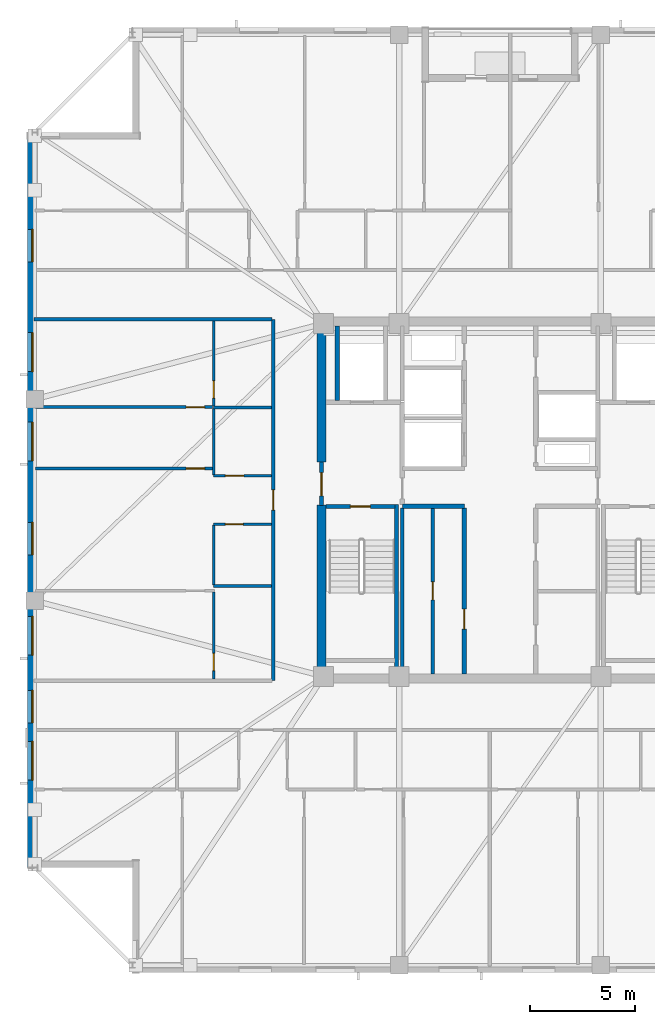
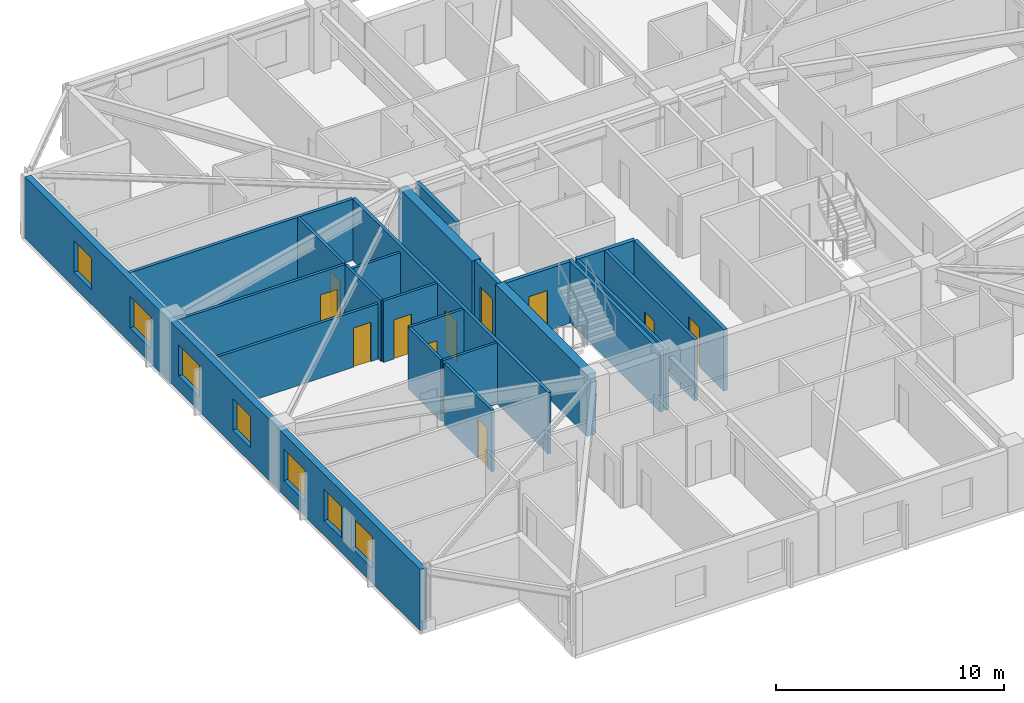
# One storey, part 8 of 17: 23 walls, 11 doors, 7 windows, 18 openings.
"""IFC4 building model written with IfcOpenShell, lengths in metres."""

from ifc_helpers import new_model, si_unit, direction, frame, frame_2d, origin, place, context, subcontext, project, spatial, rectangle, extrude, material, layer, layer_set, type_object, element, fill, save


model = new_model("IFC4")

# Units and contexts
model_context = context("Model", 3, precision=1e-05, world=origin(), true_north=direction((0.0, 1.0)))
body_context = subcontext(model_context, "Body", "Model", "MODEL_VIEW")
ifc_project = project(units=[si_unit("LENGTHUNIT", "METRE"), si_unit("AREAUNIT", "SQUARE_METRE"), si_unit("VOLUMEUNIT", "CUBIC_METRE"), si_unit("PLANEANGLEUNIT", "RADIAN"), si_unit("MASSUNIT", "GRAM", prefix="KILO")], contexts=[model_context])

# Site, building, storey
site_placement = place(None, origin())
site = spatial("IfcSite", under=ifc_project, at=site_placement, CompositionType="ELEMENT")
building_placement = place(site_placement, origin())
building = spatial("IfcBuilding", under=site, at=building_placement, Name="Cairnveth Concourse Tower", CompositionType="ELEMENT")
storey_placement = place(building_placement, frame((0.0, 0.0, 209.5)))
storey = spatial("IfcBuildingStorey", under=building, at=storey_placement, Name="L57", CompositionType="ELEMENT", Elevation=209.5)

# Wall
ifc_material_1 = material(Name="Gypsum Plasterboard Partition", Category="gypsum")
ifc_layer_1 = layer(ifc_material_1, 0.159912109375)
ifc_layer_set_1 = layer_set([ifc_layer_1], Name="Gypsum Plasterboard Partition")
wall_type_1 = type_object("IfcWallType", Name="ACOUSTIC PARTY WALL 180", PredefinedType="PARTITIONING", material=ifc_layer_set_1)
wall_1_placement = place(storey_placement, frame((47.35009765625, 30.7099609375, 0.0), z_axis=(0.0, 0.0, 1.0), x_axis=(0.0, 1.0, 0.0)))
element("IfcWall", 1, at=wall_1_placement, inside=storey, type_object=wall_type_1, Name="Interior Wall IW-L57-025", PredefinedType="PARTITIONING", context=body_context, shape_type="SweptSolid", body=[
    extrude(rectangle(XDim=7.905029296875, YDim=0.159912109375, at=frame_2d((3.95263671875, 0.0))), origin(), (0.0, 0.0, 1.0), 3.2900390625),
])

# Wall, opening, door
wall_2_placement = place(storey_placement, frame((48.800048828125, 30.7099609375, 0.0), z_axis=(0.0, 0.0, 1.0), x_axis=(0.0, 1.0, 0.0)))
wall_2 = element("IfcWall", 2, at=wall_2_placement, inside=storey, type_object=wall_type_1, Name="Interior Wall IW-L57-026", PredefinedType="PARTITIONING", context=body_context, shape_type="SweptSolid", body=[
    extrude(rectangle(XDim=7.905029296875, YDim=0.159912109375, at=frame_2d((3.95263671875, 0.0))), origin(), (0.0, 0.0, 1.0), 3.2900390625),
])
opening_1_placement = place(wall_2_placement, frame((3.5400390625, 0.0, 0.0)))
opening_1 = element("IfcOpeningElement", 3, at=opening_1_placement, cuts=wall_2, Name="Opening ID19", PredefinedType="OPENING", context=body_context, shape_type="SweptSolid", body=[
    extrude(rectangle(XDim=0.85009765625, YDim=2.1201171875, at=frame_2d((0.425048828125, 1.06005859375))), frame((0.0, 0.08984375, 0.0), z_axis=(0.0, -1.0, 0.0), x_axis=(1.0, 0.0, 0.0)), (0.0, 0.0, 1.0), 0.179931640625),
])
ifc_material_2 = material(Name="Steel Grade 350", Category="steel")
door_type_1 = type_object("IfcDoorType", Name="CORE SERVICE DOOR 850X2100", OperationType="NOTDEFINED", PredefinedType="DOOR", material=ifc_material_2)
door_1_placement = place(opening_1_placement, origin())
door_1 = element("IfcDoor", 4, at=door_1_placement, inside=storey, type_object=door_type_1, Name="Inner Store Door L57", OperationType="SINGLE_SWING_RIGHT", OverallHeight=2.1201171875, OverallWidth=0.85009765625, PredefinedType="DOOR", context=body_context, shape_type="SweptSolid", body=[
    extrude(rectangle(XDim=0.85009765625, YDim=2.1201171875, at=frame_2d((0.425048828125, 1.06005859375))), frame((0.0, 0.02490234375, 0.0), z_axis=(0.0, -1.0, 0.0), x_axis=(1.0, 0.0, 0.0)), (0.0, 0.0, 1.0), 0.050048828125),
])
fill(opening_1, door_1)

wall_3_placement = place(storey_placement, frame((41.199951171875, 30.39990234375, 0.0), z_axis=(0.0, 0.0, 1.0), x_axis=(0.0, 1.0, 0.0)))
wall_3 = element("IfcWall", 5, at=wall_3_placement, inside=storey, type_object=wall_type_1, Name="Interior Wall IW-L57-037", PredefinedType="PARTITIONING", context=body_context, shape_type="SweptSolid", body=[
    extrude(rectangle(XDim=17.2001953125, YDim=0.159912109375, at=frame_2d((8.60009765625, 0.0))), origin(), (0.0, 0.0, 1.0), 3.2900390625),
])
opening_2_placement = place(wall_3_placement, frame((8.1201171875, 0.0, 0.0)))
opening_2 = element("IfcOpeningElement", 6, at=opening_2_placement, cuts=wall_3, Name="Opening ID10", PredefinedType="OPENING", context=body_context, shape_type="SweptSolid", body=[
    extrude(rectangle(XDim=0.9599609375, YDim=2.179931640625, at=frame_2d((0.47998046875, 1.08984375))), frame((0.0, 0.08984375, 0.0), z_axis=(0.0, -1.0, 0.0), x_axis=(1.0, 0.0, 0.0)), (0.0, 0.0, 1.0), 0.179931640625),
])
ifc_material_3 = material(Name="Solid Core Hardwood Timber Leaf", Category="wood")
door_type_2 = type_object("IfcDoorType", Name="FLAT ENTRANCE DOOR 960X2150", OperationType="NOTDEFINED", PredefinedType="DOOR", material=ifc_material_3)
door_2_placement = place(opening_2_placement, origin())
door_2 = element("IfcDoor", 7, at=door_2_placement, inside=storey, type_object=door_type_2, Name="Apartment L57W1 Entrance Door", OperationType="SINGLE_SWING_RIGHT", OverallHeight=2.179931640625, OverallWidth=0.9599609375, PredefinedType="DOOR", context=body_context, shape_type="SweptSolid", body=[
    extrude(rectangle(XDim=0.9599609375, YDim=2.179931640625, at=frame_2d((0.47998046875, 1.08984375))), frame((0.0, 0.02490234375, 0.0), z_axis=(0.0, -1.0, 0.0), x_axis=(1.0, 0.0, 0.0)), (0.0, 0.0, 1.0), 0.050048828125),
])
fill(opening_2, door_2)

# Walls
wall_4_placement = place(storey_placement, frame((29.804931640625, 47.60009765625, 0.0), z_axis=(0.0, 0.0, 1.0), x_axis=(1.0, 0.0, 0.0)))
element("IfcWall", 8, at=wall_4_placement, inside=storey, type_object=wall_type_1, Name="Interior Wall IW-L57-040", PredefinedType="PARTITIONING", context=body_context, shape_type="SweptSolid", body=[
    extrude(rectangle(XDim=11.330078125, YDim=0.159912109375, at=frame_2d((5.6650390625, 0.0))), origin(), (0.0, 0.0, 1.0), 3.2900390625),
])
ifc_material_4 = material(Name="Concrete N65 (65 MPa)", Category="concrete")
ifc_layer_2 = layer(ifc_material_4, 0.449951171875)
ifc_layer_set_2 = layer_set([ifc_layer_2], Name="Concrete N65 (65 MPa)")
wall_type_2 = type_object("IfcWallType", Name="CORE SHEAR WALL 450", PredefinedType="SHEAR", material=ifc_layer_set_2)
wall_5_placement = place(storey_placement, frame((43.5, 30.715087890625, 0.0), z_axis=(0.0, 0.0, 1.0), x_axis=(0.0, 1.0, 0.0)))
element("IfcWall", 9, at=wall_5_placement, inside=storey, type_object=wall_type_2, Name="Core West Shear Wall S L57", PredefinedType="SHEAR", context=body_context, shape_type="SweptSolid", body=[
    extrude(rectangle(XDim=8.034912109375, YDim=0.449951171875, at=frame_2d((4.017578125, 0.0))), origin(), (0.0, 0.0, 1.0), 3.2900390625),
])
wall_6_placement = place(storey_placement, frame((43.5, 40.800048828125, 0.0), z_axis=(0.0, 0.0, 1.0), x_axis=(0.0, 1.0, 0.0)))
element("IfcWall", 10, at=wall_6_placement, inside=storey, type_object=wall_type_2, Name="Core West Shear Wall N L57", PredefinedType="SHEAR", context=body_context, shape_type="SweptSolid", body=[
    extrude(rectangle(XDim=6.48486328125, YDim=0.449951171875, at=frame_2d((3.242431640625, 0.0))), origin(), (0.0, 0.0, 1.0), 3.2900390625),
])

# Wall, opening, door
ifc_material_5 = material(Name="Concrete N50 (50 MPa)", Category="concrete")
ifc_layer_3 = layer(ifc_material_5, 0.179931640625)
ifc_layer_set_3 = layer_set([ifc_layer_3], Name="Concrete N50 (50 MPa)")
wall_type_3 = type_object("IfcWallType", Name="FIRE SHAFT WALL 180", PredefinedType="SOLIDWALL", material=ifc_layer_set_3)
wall_7_placement = place(storey_placement, frame((43.715087890625, 38.68994140625, 0.0), z_axis=(0.0, 0.0, 1.0), x_axis=(1.0, 0.0, 0.0)))
wall_7 = element("IfcWall", 11, at=wall_7_placement, inside=storey, type_object=wall_type_3, Name="Stair ST-1 Shaft Wall NEAR L57", PredefinedType="SOLIDWALL", context=body_context, shape_type="SweptSolid", body=[
    extrude(rectangle(XDim=3.280029296875, YDim=0.179931640625, at=frame_2d((1.64013671875, 0.0))), origin(), (0.0, 0.0, 1.0), 3.2900390625),
])
opening_3_placement = place(wall_7_placement, frame((1.1650390625, 0.0, 0.0)))
opening_3 = element("IfcOpeningElement", 12, at=opening_3_placement, cuts=wall_7, Name="Opening ID12", PredefinedType="OPENING", context=body_context, shape_type="SweptSolid", body=[
    extrude(rectangle(XDim=0.949951171875, YDim=2.14990234375, at=frame_2d((0.47509765625, 1.074951171875))), frame((0.0, 0.099853515625, 0.0), z_axis=(0.0, -1.0, 0.0), x_axis=(1.0, 0.0, 0.0)), (0.0, 0.0, 1.0), 0.199951171875),
])
door_type_3 = type_object("IfcDoorType", Name="FIRE STAIR DOOR 950X2150", OperationType="NOTDEFINED", PredefinedType="DOOR", material=ifc_material_2)
door_3_placement = place(opening_3_placement, origin())
door_3 = element("IfcDoor", 13, at=door_3_placement, inside=storey, type_object=door_type_3, Name="Stair ST-1 Fire Door L57", OperationType="SINGLE_SWING_LEFT", OverallHeight=2.14990234375, OverallWidth=0.949951171875, PredefinedType="DOOR", context=body_context, shape_type="SweptSolid", body=[
    extrude(rectangle(XDim=0.949951171875, YDim=2.14990234375, at=frame_2d((0.47509765625, 1.074951171875))), frame((0.0, 0.02490234375, 0.0), z_axis=(0.0, -1.0, 0.0), x_axis=(1.0, 0.0, 0.0)), (0.0, 0.0, 1.0), 0.050048828125),
])
fill(opening_3, door_3)

# Walls
wall_8_placement = place(storey_placement, frame((47.070068359375, 38.780029296875, 0.0), z_axis=(0.0, 0.0, 1.0), x_axis=(0.0, -1.0, 0.0)))
element("IfcWall", 14, at=wall_8_placement, inside=storey, type_object=wall_type_3, Name="Stair ST-1 Shaft Wall RGHT L57", PredefinedType="SOLIDWALL", context=body_context, shape_type="SweptSolid", body=[
    extrude(rectangle(XDim=8.067138671875, YDim=0.179931640625, at=frame_2d((4.03369140625, 0.0))), origin(), (0.0, 0.0, 1.0), 3.2900390625),
])
ifc_layer_4 = layer(ifc_material_5, 0.199951171875)
ifc_layer_set_4 = layer_set([ifc_layer_4], Name="Concrete N50 (50 MPa)")
wall_type_4 = type_object("IfcWallType", Name="FIRE SHAFT WALL 200", PredefinedType="SOLIDWALL", material=ifc_layer_set_4)
wall_9_placement = place(storey_placement, frame((47.35009765625, 38.699951171875, 0.0), z_axis=(0.0, 0.0, 1.0), x_axis=(1.0, 0.0, 0.0)))
element("IfcWall", 15, at=wall_9_placement, inside=storey, type_object=wall_type_4, Name="Interior Wall IW-L57-007", PredefinedType="SOLIDWALL", context=body_context, shape_type="SweptSolid", body=[
    extrude(rectangle(XDim=2.949951171875, YDim=0.199951171875, at=frame_2d((1.47509765625, 0.0))), origin(), (0.0, 0.0, 1.0), 3.2900390625),
])

# Wall, opening, door
wall_10_placement = place(storey_placement, frame((50.300048828125, 30.7099609375, 0.0), z_axis=(0.0, 0.0, 1.0), x_axis=(0.0, 1.0, 0.0)))
wall_10 = element("IfcWall", 16, at=wall_10_placement, inside=storey, type_object=wall_type_4, Name="Interior Wall IW-L57-011", PredefinedType="SOLIDWALL", context=body_context, shape_type="SweptSolid", body=[
    extrude(rectangle(XDim=7.905029296875, YDim=0.199951171875, at=frame_2d((3.95263671875, 0.0))), origin(), (0.0, 0.0, 1.0), 3.2900390625),
])
opening_4_placement = place(wall_10_placement, frame((2.139892578125, 0.0, 0.0)))
opening_4 = element("IfcOpeningElement", 17, at=opening_4_placement, cuts=wall_10, Name="Opening ID25", PredefinedType="OPENING", context=body_context, shape_type="SweptSolid", body=[
    extrude(rectangle(XDim=0.949951171875, YDim=2.1201171875, at=frame_2d((0.47509765625, 1.06005859375))), frame((0.0, 0.10986328125, 0.0), z_axis=(0.0, -1.0, 0.0), x_axis=(1.0, 0.0, 0.0)), (0.0, 0.0, 1.0), 0.219970703125),
])
door_type_4 = type_object("IfcDoorType", Name="CORE ACCESSIBLE FIRE DOOR 950X2120", OperationType="NOTDEFINED", PredefinedType="DOOR", material=ifc_material_2)
door_4_placement = place(opening_4_placement, origin())
door_4 = element("IfcDoor", 18, at=door_4_placement, inside=storey, type_object=door_type_4, Name="Accessible WC Suite Door L57", OperationType="SINGLE_SWING_LEFT", OverallHeight=2.1201171875, OverallWidth=0.949951171875, PredefinedType="DOOR", context=body_context, shape_type="SweptSolid", body=[
    extrude(rectangle(XDim=0.949951171875, YDim=2.1201171875, at=frame_2d((0.47509765625, 1.06005859375))), frame((0.0, 0.02490234375, 0.0), z_axis=(0.0, -1.0, 0.0), x_axis=(1.0, 0.0, 0.0)), (0.0, 0.0, 1.0), 0.050048828125),
])
fill(opening_4, door_4)

wall_11_placement = place(storey_placement, frame((43.5, 38.75, 0.0), z_axis=(0.0, 0.0, 1.0), x_axis=(0.0, 1.0, 0.0)))
wall_11 = element("IfcWall", 19, at=wall_11_placement, inside=storey, type_object=wall_type_4, Name="Interior Wall IW-L57-015", PredefinedType="SOLIDWALL", context=body_context, shape_type="SweptSolid", body=[
    extrude(rectangle(XDim=2.050048828125, YDim=0.199951171875, at=frame_2d((1.02490234375, 0.0))), origin(), (0.0, 0.0, 1.0), 3.2900390625),
])
opening_5_placement = place(wall_11_placement, frame((0.449951171875, 0.0, 0.0)))
opening_5 = element("IfcOpeningElement", 20, at=opening_5_placement, cuts=wall_11, Name="Opening ID06", PredefinedType="OPENING", context=body_context, shape_type="SweptSolid", body=[
    extrude(rectangle(XDim=1.10009765625, YDim=2.14990234375, at=frame_2d((0.550048828125, 1.074951171875))), frame((0.0, 0.10986328125, 0.0), z_axis=(0.0, -1.0, 0.0), x_axis=(1.0, 0.0, 0.0)), (0.0, 0.0, 1.0), 0.219970703125),
])
door_type_5 = type_object("IfcDoorType", Name="FIRE CORRIDOR DOOR 1100X2150", OperationType="NOTDEFINED", PredefinedType="DOOR", material=ifc_material_2)
door_5_placement = place(opening_5_placement, origin())
door_5 = element("IfcDoor", 21, at=door_5_placement, inside=storey, type_object=door_type_5, Name="West Wing to FF Lobby Door L57", OperationType="SINGLE_SWING_LEFT", OverallHeight=2.14990234375, OverallWidth=1.10009765625, PredefinedType="DOOR", context=body_context, shape_type="SweptSolid", body=[
    extrude(rectangle(XDim=1.10009765625, YDim=2.14990234375, at=frame_2d((0.550048828125, 1.074951171875))), frame((0.0, 0.02490234375, 0.0), z_axis=(0.0, -1.0, 0.0), x_axis=(1.0, 0.0, 0.0)), (0.0, 0.0, 1.0), 0.050048828125),
])
fill(opening_5, door_5)

# Wall
wall_12_placement = place(storey_placement, frame((44.25, 43.735107421875, 0.0), z_axis=(0.0, 0.0, 1.0), x_axis=(0.0, 1.0, 0.0)))
element("IfcWall", 22, at=wall_12_placement, inside=storey, type_object=wall_type_4, Name="Interior Wall IW-L57-019", PredefinedType="SOLIDWALL", context=body_context, shape_type="SweptSolid", body=[
    extrude(rectangle(XDim=3.554931640625, YDim=0.199951171875, at=frame_2d((1.77734375, 0.0))), origin(), (0.0, 0.0, 1.0), 3.2900390625),
])

# Wall, opening, door
ifc_layer_5 = layer(ifc_material_1, 0.139892578125)
ifc_layer_set_5 = layer_set([ifc_layer_5], Name="Gypsum Plasterboard Partition")
wall_type_5 = type_object("IfcWallType", Name="GYPSUM STUD PARTITION 140", PredefinedType="PARTITIONING", material=ifc_layer_set_5)
wall_13_placement = place(storey_placement, frame((38.3701171875, 30.465087890625, 0.0), z_axis=(0.0, 0.0, 1.0), x_axis=(0.0, 1.0, 0.0)))
wall_13 = element("IfcWall", 23, at=wall_13_placement, inside=storey, type_object=wall_type_5, Name="Interior Wall IW-L57-095", PredefinedType="PARTITIONING", context=body_context, shape_type="SweptSolid", body=[
    extrude(rectangle(XDim=4.159912109375, YDim=0.139892578125, at=frame_2d((2.080078125, 0.0))), origin(), (0.0, 0.0, 1.0), 3.2900390625),
])
opening_6_placement = place(wall_13_placement, frame((0.4150390625, 0.0, 0.0)))
opening_6 = element("IfcOpeningElement", 24, at=opening_6_placement, cuts=wall_13, Name="Opening ID22", PredefinedType="OPENING", context=body_context, shape_type="SweptSolid", body=[
    extrude(rectangle(XDim=0.820068359375, YDim=2.10009765625, at=frame_2d((0.41015625, 1.050048828125))), frame((0.0, 0.079833984375, 0.0), z_axis=(0.0, -1.0, 0.0), x_axis=(1.0, 0.0, 0.0)), (0.0, 0.0, 1.0), 0.159912109375),
])
door_type_6 = type_object("IfcDoorType", Name="INTERIOR WC DOOR 820X2100", OperationType="NOTDEFINED", PredefinedType="DOOR", material=ifc_material_3)
door_6_placement = place(opening_6_placement, origin())
door_6 = element("IfcDoor", 25, at=door_6_placement, inside=storey, type_object=door_type_6, Name="L57W1 Dressing Door", OperationType="SINGLE_SWING_LEFT", OverallHeight=2.10009765625, OverallWidth=0.820068359375, PredefinedType="DOOR", context=body_context, shape_type="SweptSolid", body=[
    extrude(rectangle(XDim=0.820068359375, YDim=2.10009765625, at=frame_2d((0.41015625, 1.050048828125))), frame((0.0, 0.02490234375, 0.0), z_axis=(0.0, -1.0, 0.0), x_axis=(1.0, 0.0, 0.0)), (0.0, 0.0, 1.0), 0.050048828125),
])
fill(opening_6, door_6)

wall_14_placement = place(storey_placement, frame((29.8798828125, 43.419921875, 0.0), z_axis=(0.0, 0.0, 1.0), x_axis=(1.0, 0.0, 0.0)))
wall_14 = element("IfcWall", 26, at=wall_14_placement, inside=storey, type_object=wall_type_5, Name="Interior Wall IW-L57-096", PredefinedType="PARTITIONING", context=body_context, shape_type="SweptSolid", body=[
    extrude(rectangle(XDim=8.440185546875, YDim=0.139892578125, at=frame_2d((4.22021484375, 0.0))), origin(), (0.0, 0.0, 1.0), 3.2900390625),
])
opening_7_placement = place(wall_14_placement, frame((7.179931640625, 0.0, 0.0)))
opening_7 = element("IfcOpeningElement", 27, at=opening_7_placement, cuts=wall_14, Name="Opening ID18", PredefinedType="OPENING", context=body_context, shape_type="SweptSolid", body=[
    extrude(rectangle(XDim=0.8798828125, YDim=2.10009765625, at=frame_2d((0.43994140625, 1.050048828125))), frame((0.0, 0.079833984375, 0.0), z_axis=(0.0, -1.0, 0.0), x_axis=(1.0, 0.0, 0.0)), (0.0, 0.0, 1.0), 0.159912109375),
])
door_type_7 = type_object("IfcDoorType", Name="INTERIOR SINGLE DOOR 880X2100", OperationType="NOTDEFINED", PredefinedType="DOOR", material=ifc_material_3)
door_7_placement = place(opening_7_placement, origin())
door_7 = element("IfcDoor", 28, at=door_7_placement, inside=storey, type_object=door_type_7, Name="L57W1 Bedroom 2 Door", OperationType="SINGLE_SWING_RIGHT", OverallHeight=2.10009765625, OverallWidth=0.8798828125, PredefinedType="DOOR", context=body_context, shape_type="SweptSolid", body=[
    extrude(rectangle(XDim=0.8798828125, YDim=2.10009765625, at=frame_2d((0.43994140625, 1.050048828125))), frame((0.0, 0.02490234375, 0.0), z_axis=(0.0, -1.0, 0.0), x_axis=(1.0, 0.0, 0.0)), (0.0, 0.0, 1.0), 0.050048828125),
])
fill(opening_7, door_7)

wall_15_placement = place(storey_placement, frame((38.3701171875, 43.47509765625, 0.0), z_axis=(0.0, 0.0, 1.0), x_axis=(0.0, 1.0, 0.0)))
wall_15 = element("IfcWall", 29, at=wall_15_placement, inside=storey, type_object=wall_type_5, Name="Interior Wall IW-L57-097", PredefinedType="PARTITIONING", context=body_context, shape_type="SweptSolid", body=[
    extrude(rectangle(XDim=4.059814453125, YDim=0.139892578125, at=frame_2d((2.02978515625, 0.0))), origin(), (0.0, 0.0, 1.0), 3.2900390625),
])
opening_8_placement = place(wall_15_placement, frame((0.375, 0.0, 0.0)))
opening_8 = element("IfcOpeningElement", 30, at=opening_8_placement, cuts=wall_15, Name="Opening ID22", PredefinedType="OPENING", context=body_context, shape_type="SweptSolid", body=[
    extrude(rectangle(XDim=0.820068359375, YDim=2.10009765625, at=frame_2d((0.41015625, 1.050048828125))), frame((0.0, 0.079833984375, 0.0), z_axis=(0.0, -1.0, 0.0), x_axis=(1.0, 0.0, 0.0)), (0.0, 0.0, 1.0), 0.159912109375),
])
door_8_placement = place(opening_8_placement, origin())
door_8 = element("IfcDoor", 31, at=door_8_placement, inside=storey, type_object=door_type_6, Name="L57W1 Utility Door", OperationType="SINGLE_SWING_LEFT", OverallHeight=2.10009765625, OverallWidth=0.820068359375, PredefinedType="DOOR", context=body_context, shape_type="SweptSolid", body=[
    extrude(rectangle(XDim=0.820068359375, YDim=2.10009765625, at=frame_2d((0.41015625, 1.050048828125))), frame((0.0, 0.02490234375, 0.0), z_axis=(0.0, -1.0, 0.0), x_axis=(1.0, 0.0, 0.0)), (0.0, 0.0, 1.0), 0.050048828125),
])
fill(opening_8, door_8)

wall_16_placement = place(storey_placement, frame((29.8798828125, 40.5, 0.0), z_axis=(0.0, 0.0, 1.0), x_axis=(1.0, 0.0, 0.0)))
wall_16 = element("IfcWall", 32, at=wall_16_placement, inside=storey, type_object=wall_type_5, Name="Interior Wall IW-L57-098", PredefinedType="PARTITIONING", context=body_context, shape_type="SweptSolid", body=[
    extrude(rectangle(XDim=8.440185546875, YDim=0.139892578125, at=frame_2d((4.22021484375, 0.0))), origin(), (0.0, 0.0, 1.0), 2.9580078125),
])
opening_9_placement = place(wall_16_placement, frame((7.179931640625, 0.0, 0.0)))
opening_9 = element("IfcOpeningElement", 33, at=opening_9_placement, cuts=wall_16, Name="Opening ID18", PredefinedType="OPENING", context=body_context, shape_type="SweptSolid", body=[
    extrude(rectangle(XDim=0.8798828125, YDim=2.10009765625, at=frame_2d((0.43994140625, 1.050048828125))), frame((0.0, 0.079833984375, 0.0), z_axis=(0.0, -1.0, 0.0), x_axis=(1.0, 0.0, 0.0)), (0.0, 0.0, 1.0), 0.159912109375),
])
door_9_placement = place(opening_9_placement, origin())
door_9 = element("IfcDoor", 34, at=door_9_placement, inside=storey, type_object=door_type_7, Name="L57W1 Media Lounge Door", OperationType="SINGLE_SWING_LEFT", OverallHeight=2.10009765625, OverallWidth=0.8798828125, PredefinedType="DOOR", context=body_context, shape_type="SweptSolid", body=[
    extrude(rectangle(XDim=0.8798828125, YDim=2.10009765625, at=frame_2d((0.43994140625, 1.050048828125))), frame((0.0, 0.02490234375, 0.0), z_axis=(0.0, -1.0, 0.0), x_axis=(1.0, 0.0, 0.0)), (0.0, 0.0, 1.0), 0.050048828125),
])
fill(opening_9, door_9)

# Wall
ifc_layer_6 = layer(ifc_material_1, 0.1298828125)
ifc_layer_set_6 = layer_set([ifc_layer_6], Name="Gypsum Plasterboard Partition")
wall_type_6 = type_object("IfcWallType", Name="WET AREA PARTITION 140", PredefinedType="PLUMBINGWALL", material=ifc_layer_set_6)
wall_17_placement = place(storey_placement, frame((38.3701171875, 34.89990234375, 0.0), z_axis=(0.0, 0.0, 1.0), x_axis=(1.0, 0.0, 0.0)))
element("IfcWall", 35, at=wall_17_placement, inside=storey, type_object=wall_type_6, Name="Interior Wall IW-L57-088", PredefinedType="PLUMBINGWALL", context=body_context, shape_type="SweptSolid", body=[
    extrude(rectangle(XDim=2.75, YDim=0.1298828125, at=frame_2d((1.375, 0.0))), origin(), (0.0, 0.0, 1.0), 3.2900390625),
])

# Wall, opening, door
wall_18_placement = place(storey_placement, frame((38.3701171875, 37.85009765625, 0.0), z_axis=(0.0, 0.0, 1.0), x_axis=(1.0, 0.0, 0.0)))
wall_18 = element("IfcWall", 36, at=wall_18_placement, inside=storey, type_object=wall_type_6, Name="Interior Wall IW-L57-089", PredefinedType="PLUMBINGWALL", context=body_context, shape_type="SweptSolid", body=[
    extrude(rectangle(XDim=2.75, YDim=0.1298828125, at=frame_2d((1.375, 0.0))), origin(), (0.0, 0.0, 1.0), 3.2900390625),
])
opening_10_placement = place(wall_18_placement, frame((0.550048828125, 0.0, 0.0)))
opening_10 = element("IfcOpeningElement", 37, at=opening_10_placement, cuts=wall_18, Name="Opening ID21", PredefinedType="OPENING", context=body_context, shape_type="SweptSolid", body=[
    extrude(rectangle(XDim=0.85009765625, YDim=2.080078125, at=frame_2d((0.425048828125, 1.0400390625))), frame((0.0, 0.074951171875, 0.0), z_axis=(0.0, -1.0, 0.0), x_axis=(1.0, 0.0, 0.0)), (0.0, 0.0, 1.0), 0.14990234375),
])
door_type_8 = type_object("IfcDoorType", Name="INTERIOR WC DOOR 850X2100", OperationType="NOTDEFINED", PredefinedType="DOOR", material=ifc_material_3)
door_10_placement = place(opening_10_placement, origin())
door_10 = element("IfcDoor", 38, at=door_10_placement, inside=storey, type_object=door_type_8, Name="L57W1 Bathroom Door", OperationType="SINGLE_SWING_LEFT", OverallHeight=2.080078125, OverallWidth=0.85009765625, PredefinedType="DOOR", context=body_context, shape_type="SweptSolid", body=[
    extrude(rectangle(XDim=0.85009765625, YDim=2.080078125, at=frame_2d((0.425048828125, 1.0400390625))), frame((0.0, 0.02490234375, 0.0), z_axis=(0.0, -1.0, 0.0), x_axis=(1.0, 0.0, 0.0)), (0.0, 0.0, 1.0), 0.050048828125),
])
fill(opening_10, door_10)

# Walls
wall_19_placement = place(storey_placement, frame((38.3701171875, 34.949951171875, 0.0), z_axis=(0.0, 0.0, 1.0), x_axis=(0.0, 1.0, 0.0)))
element("IfcWall", 39, at=wall_19_placement, inside=storey, type_object=wall_type_6, Name="Interior Wall IW-L57-090", PredefinedType="PLUMBINGWALL", context=body_context, shape_type="SweptSolid", body=[
    extrude(rectangle(XDim=2.85009765625, YDim=0.1298828125, at=frame_2d((1.425048828125, 0.0))), origin(), (0.0, 0.0, 1.0), 3.2900390625),
])
wall_20_placement = place(storey_placement, frame((38.3701171875, 43.39990234375, 0.0), z_axis=(0.0, 0.0, 1.0), x_axis=(1.0, 0.0, 0.0)))
element("IfcWall", 40, at=wall_20_placement, inside=storey, type_object=wall_type_6, Name="Interior Wall IW-L57-091", PredefinedType="PLUMBINGWALL", context=body_context, shape_type="SweptSolid", body=[
    extrude(rectangle(XDim=2.75, YDim=0.1298828125, at=frame_2d((1.375, 0.0))), origin(), (0.0, 0.0, 1.0), 2.9580078125),
])

# Wall, opening, door
wall_21_placement = place(storey_placement, frame((38.3701171875, 40.14990234375, 0.0), z_axis=(0.0, 0.0, 1.0), x_axis=(1.0, 0.0, 0.0)))
wall_21 = element("IfcWall", 41, at=wall_21_placement, inside=storey, type_object=wall_type_6, Name="Interior Wall IW-L57-092", PredefinedType="PLUMBINGWALL", context=body_context, shape_type="SweptSolid", body=[
    extrude(rectangle(XDim=2.75, YDim=0.1298828125, at=frame_2d((1.375, 0.0))), origin(), (0.0, 0.0, 1.0), 3.2900390625),
])
opening_11_placement = place(wall_21_placement, frame((0.550048828125, 0.0, 0.0)))
opening_11 = element("IfcOpeningElement", 42, at=opening_11_placement, cuts=wall_21, Name="Opening ID18", PredefinedType="OPENING", context=body_context, shape_type="SweptSolid", body=[
    extrude(rectangle(XDim=0.8798828125, YDim=2.10009765625, at=frame_2d((0.43994140625, 1.050048828125))), frame((0.0, 0.074951171875, 0.0), z_axis=(0.0, -1.0, 0.0), x_axis=(1.0, 0.0, 0.0)), (0.0, 0.0, 1.0), 0.14990234375),
])
door_11_placement = place(opening_11_placement, origin())
door_11 = element("IfcDoor", 43, at=door_11_placement, inside=storey, type_object=door_type_7, Name="L57W1 Kitchen Door", OperationType="SINGLE_SWING_RIGHT", OverallHeight=2.10009765625, OverallWidth=0.8798828125, PredefinedType="DOOR", context=body_context, shape_type="SweptSolid", body=[
    extrude(rectangle(XDim=0.8798828125, YDim=2.10009765625, at=frame_2d((0.43994140625, 1.050048828125))), frame((0.0, 0.02490234375, 0.0), z_axis=(0.0, -1.0, 0.0), x_axis=(1.0, 0.0, 0.0)), (0.0, 0.0, 1.0), 0.050048828125),
])
fill(opening_11, door_11)

# Wall
wall_22_placement = place(storey_placement, frame((38.3701171875, 40.199951171875, 0.0), z_axis=(0.0, 0.0, 1.0), x_axis=(0.0, 1.0, 0.0)))
element("IfcWall", 44, at=wall_22_placement, inside=storey, type_object=wall_type_6, Name="Interior Wall IW-L57-093", PredefinedType="PLUMBINGWALL", context=body_context, shape_type="SweptSolid", body=[
    extrude(rectangle(XDim=3.150146484375, YDim=0.1298828125, at=frame_2d((1.5751953125, 0.0))), origin(), (0.0, 0.0, 1.0), 3.2900390625),
])

# Wall, openings, windows
ifc_material_6 = material(Name="Melbourne Buff Fired Clay Brick Masonry", Category="masonry")
ifc_layer_7 = layer(ifc_material_6, 0.320068359375)
ifc_layer_set_7 = layer_set([ifc_layer_7], Name="Melbourne Buff Fired Clay Brick Masonry")
wall_type_7 = type_object("IfcWallType", Name="ZONE 3 BRICK PIER SPANDREL WALL 320", PredefinedType="SOLIDWALL", material=ifc_layer_set_7)
wall_23_placement = place(storey_placement, frame((29.659912109375, 21.5, 0.0), z_axis=(0.0, 0.0, 1.0), x_axis=(0.0, 1.0, 0.0)))
wall_23 = element("IfcWall", 45, at=wall_23_placement, inside=storey, type_object=wall_type_7, Name="Exterior Wall EW-L57-S09", PredefinedType="SOLIDWALL", context=body_context, shape_type="SweptSolid", body=[
    extrude(rectangle(XDim=34.701904296875, YDim=0.320068359375, at=frame_2d((17.35107421875, 0.0))), origin(), (0.0, 0.0, 1.0), 3.2900390625),
])
opening_12_placement = place(wall_23_placement, frame((4.16259765625, 0.0, 0.800048828125)))
opening_12 = element("IfcOpeningElement", 46, at=opening_12_placement, cuts=wall_23, Name="Opening W08", PredefinedType="OPENING", context=body_context, shape_type="SweptSolid", body=[
    extrude(rectangle(XDim=1.85009765625, YDim=1.677978515625, at=frame_2d((0.925048828125, 0.8388671875))), frame((0.0, 0.169921875, 0.0), z_axis=(0.0, -1.0, 0.0), x_axis=(1.0, 0.0, 0.0)), (0.0, 0.0, 1.0), 0.340087890625),
])
opening_13_placement = place(wall_23_placement, frame((6.887939453125, 0.0, 0.800048828125)))
opening_13 = element("IfcOpeningElement", 47, at=opening_13_placement, cuts=wall_23, Name="Opening W07", PredefinedType="OPENING", context=body_context, shape_type="SweptSolid", body=[
    extrude(rectangle(XDim=1.550048828125, YDim=1.677978515625, at=frame_2d((0.77490234375, 0.8388671875))), frame((0.0, 0.169921875, 0.0), z_axis=(0.0, -1.0, 0.0), x_axis=(1.0, 0.0, 0.0)), (0.0, 0.0, 1.0), 0.340087890625),
])
opening_14_placement = place(wall_23_placement, frame((10.113037109375, 0.0, 0.800048828125)))
opening_14 = element("IfcOpeningElement", 48, at=opening_14_placement, cuts=wall_23, Name="Opening W08", PredefinedType="OPENING", context=body_context, shape_type="SweptSolid", body=[
    extrude(rectangle(XDim=1.85009765625, YDim=1.677978515625, at=frame_2d((0.925048828125, 0.8388671875))), frame((0.0, 0.169921875, 0.0), z_axis=(0.0, -1.0, 0.0), x_axis=(1.0, 0.0, 0.0)), (0.0, 0.0, 1.0), 0.340087890625),
])
opening_15_placement = place(wall_23_placement, frame((14.888427734375, 0.0, 0.800048828125)))
opening_15 = element("IfcOpeningElement", 49, at=opening_15_placement, cuts=wall_23, Name="Opening W07", PredefinedType="OPENING", context=body_context, shape_type="SweptSolid", body=[
    extrude(rectangle(XDim=1.550048828125, YDim=1.677978515625, at=frame_2d((0.77490234375, 0.8388671875))), frame((0.0, 0.169921875, 0.0), z_axis=(0.0, -1.0, 0.0), x_axis=(1.0, 0.0, 0.0)), (0.0, 0.0, 1.0), 0.340087890625),
])
opening_16_placement = place(wall_23_placement, frame((19.363525390625, 0.0, 0.800048828125)))
opening_16 = element("IfcOpeningElement", 50, at=opening_16_placement, cuts=wall_23, Name="Opening W08", PredefinedType="OPENING", context=body_context, shape_type="SweptSolid", body=[
    extrude(rectangle(XDim=1.85009765625, YDim=1.677978515625, at=frame_2d((0.925048828125, 0.8388671875))), frame((0.0, 0.169921875, 0.0), z_axis=(0.0, -1.0, 0.0), x_axis=(1.0, 0.0, 0.0)), (0.0, 0.0, 1.0), 0.340087890625),
])
opening_17_placement = place(wall_23_placement, frame((23.614013671875, 0.0, 0.800048828125)))
opening_17 = element("IfcOpeningElement", 51, at=opening_17_placement, cuts=wall_23, Name="Opening W08", PredefinedType="OPENING", context=body_context, shape_type="SweptSolid", body=[
    extrude(rectangle(XDim=1.85009765625, YDim=1.677978515625, at=frame_2d((0.925048828125, 0.8388671875))), frame((0.0, 0.169921875, 0.0), z_axis=(0.0, -1.0, 0.0), x_axis=(1.0, 0.0, 0.0)), (0.0, 0.0, 1.0), 0.340087890625),
])
opening_18_placement = place(wall_23_placement, frame((28.83935546875, 0.0, 0.800048828125)))
opening_18 = element("IfcOpeningElement", 52, at=opening_18_placement, cuts=wall_23, Name="Opening W07", PredefinedType="OPENING", context=body_context, shape_type="SweptSolid", body=[
    extrude(rectangle(XDim=1.550048828125, YDim=1.677978515625, at=frame_2d((0.77490234375, 0.8388671875))), frame((0.0, 0.169921875, 0.0), z_axis=(0.0, -1.0, 0.0), x_axis=(1.0, 0.0, 0.0)), (0.0, 0.0, 1.0), 0.340087890625),
])
ifc_material_7 = material(Name="Double Glazed Low-E Clear Glass", Category="glass")
window_type_1 = type_object("IfcWindowType", Name="DEEP-SET APARTMENT LIVING WINDOW 1850X1850", PartitioningType="DOUBLE_PANEL_VERTICAL", PredefinedType="WINDOW", material=ifc_material_7)
window_1_placement = place(opening_12_placement, origin())
window_1 = element("IfcWindow", 53, at=window_1_placement, inside=storey, type_object=window_type_1, Name="Gothic Lancet Window L57-9-1", OverallHeight=1.677978515625, OverallWidth=1.85009765625, PartitioningType="SINGLE_PANEL", PredefinedType="WINDOW", context=body_context, shape_type="SweptSolid", body=[
    extrude(rectangle(XDim=1.85009765625, YDim=1.677978515625, at=frame_2d((0.925048828125, 0.8388671875))), frame((0.0, -0.050048828125, 0.0), z_axis=(0.0, -1.0, 0.0), x_axis=(1.0, 0.0, 0.0)), (0.0, 0.0, 1.0), 0.06005859375),
])
fill(opening_12, window_1)
window_2_placement = place(opening_14_placement, origin())
window_2 = element("IfcWindow", 54, at=window_2_placement, inside=storey, type_object=window_type_1, Name="Gothic Lancet Window L57-9-3", OverallHeight=1.677978515625, OverallWidth=1.85009765625, PartitioningType="SINGLE_PANEL", PredefinedType="WINDOW", context=body_context, shape_type="SweptSolid", body=[
    extrude(rectangle(XDim=1.85009765625, YDim=1.677978515625, at=frame_2d((0.925048828125, 0.8388671875))), frame((0.0, -0.050048828125, 0.0), z_axis=(0.0, -1.0, 0.0), x_axis=(1.0, 0.0, 0.0)), (0.0, 0.0, 1.0), 0.06005859375),
])
fill(opening_14, window_2)
window_3_placement = place(opening_16_placement, origin())
window_3 = element("IfcWindow", 55, at=window_3_placement, inside=storey, type_object=window_type_1, Name="Gothic Lancet Window L57-9-5", OverallHeight=1.677978515625, OverallWidth=1.85009765625, PartitioningType="SINGLE_PANEL", PredefinedType="WINDOW", context=body_context, shape_type="SweptSolid", body=[
    extrude(rectangle(XDim=1.85009765625, YDim=1.677978515625, at=frame_2d((0.925048828125, 0.8388671875))), frame((0.0, -0.050048828125, 0.0), z_axis=(0.0, -1.0, 0.0), x_axis=(1.0, 0.0, 0.0)), (0.0, 0.0, 1.0), 0.06005859375),
])
fill(opening_16, window_3)
window_4_placement = place(opening_17_placement, origin())
window_4 = element("IfcWindow", 56, at=window_4_placement, inside=storey, type_object=window_type_1, Name="Gothic Lancet Window L57-9-7", OverallHeight=1.677978515625, OverallWidth=1.85009765625, PartitioningType="SINGLE_PANEL", PredefinedType="WINDOW", context=body_context, shape_type="SweptSolid", body=[
    extrude(rectangle(XDim=1.85009765625, YDim=1.677978515625, at=frame_2d((0.925048828125, 0.8388671875))), frame((0.0, -0.050048828125, 0.0), z_axis=(0.0, -1.0, 0.0), x_axis=(1.0, 0.0, 0.0)), (0.0, 0.0, 1.0), 0.06005859375),
])
fill(opening_17, window_4)
window_type_2 = type_object("IfcWindowType", Name="DEEP-SET APARTMENT WINDOW 1550X1800", PartitioningType="DOUBLE_PANEL_VERTICAL", PredefinedType="WINDOW", material=ifc_material_7)
window_5_placement = place(opening_13_placement, origin())
window_5 = element("IfcWindow", 57, at=window_5_placement, inside=storey, type_object=window_type_2, Name="Gothic Lancet Window L57-9-2", OverallHeight=1.677978515625, OverallWidth=1.550048828125, PartitioningType="SINGLE_PANEL", PredefinedType="WINDOW", context=body_context, shape_type="SweptSolid", body=[
    extrude(rectangle(XDim=1.550048828125, YDim=1.677978515625, at=frame_2d((0.77490234375, 0.8388671875))), frame((0.0, -0.050048828125, 0.0), z_axis=(0.0, -1.0, 0.0), x_axis=(1.0, 0.0, 0.0)), (0.0, 0.0, 1.0), 0.06005859375),
])
fill(opening_13, window_5)
window_6_placement = place(opening_15_placement, origin())
window_6 = element("IfcWindow", 58, at=window_6_placement, inside=storey, type_object=window_type_2, Name="Gothic Lancet Window L57-9-4", OverallHeight=1.677978515625, OverallWidth=1.550048828125, PartitioningType="SINGLE_PANEL", PredefinedType="WINDOW", context=body_context, shape_type="SweptSolid", body=[
    extrude(rectangle(XDim=1.550048828125, YDim=1.677978515625, at=frame_2d((0.77490234375, 0.8388671875))), frame((0.0, -0.050048828125, 0.0), z_axis=(0.0, -1.0, 0.0), x_axis=(1.0, 0.0, 0.0)), (0.0, 0.0, 1.0), 0.06005859375),
])
fill(opening_15, window_6)
window_7_placement = place(opening_18_placement, origin())
window_7 = element("IfcWindow", 59, at=window_7_placement, inside=storey, type_object=window_type_2, Name="Gothic Lancet Window L57-9-8", OverallHeight=1.677978515625, OverallWidth=1.550048828125, PartitioningType="SINGLE_PANEL", PredefinedType="WINDOW", context=body_context, shape_type="SweptSolid", body=[
    extrude(rectangle(XDim=1.550048828125, YDim=1.677978515625, at=frame_2d((0.77490234375, 0.8388671875))), frame((0.0, -0.050048828125, 0.0), z_axis=(0.0, -1.0, 0.0), x_axis=(1.0, 0.0, 0.0)), (0.0, 0.0, 1.0), 0.06005859375),
])
fill(opening_18, window_7)

save(model, "model.ifc")
